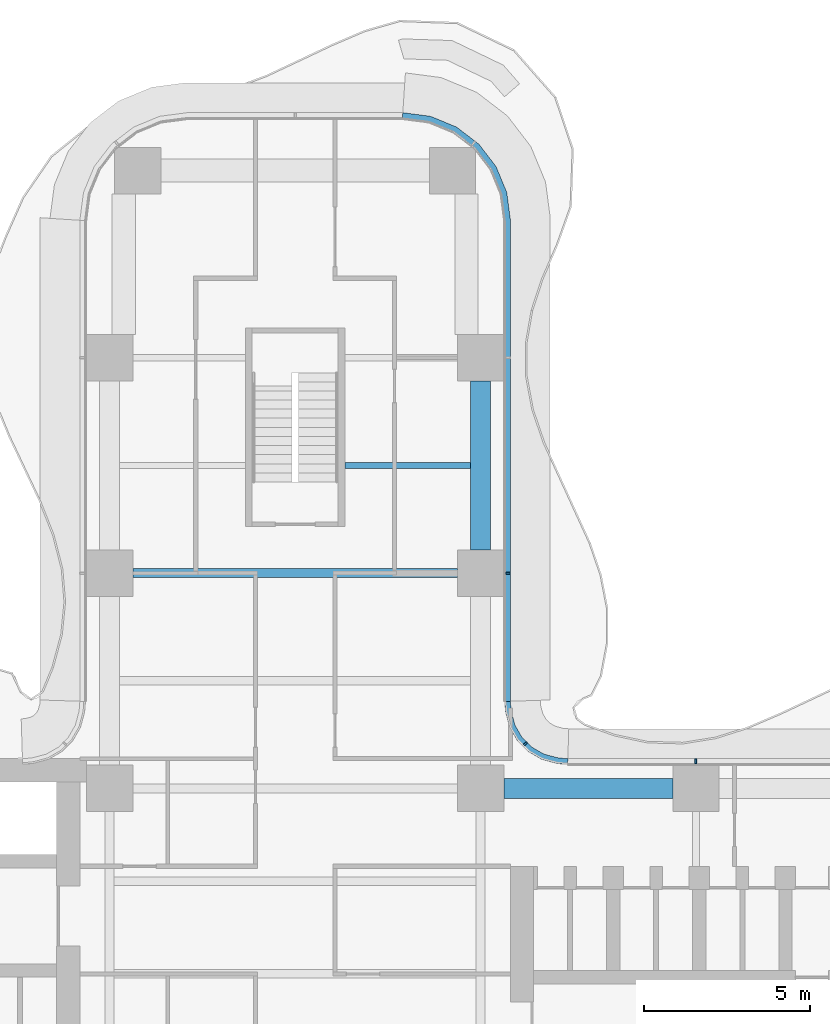
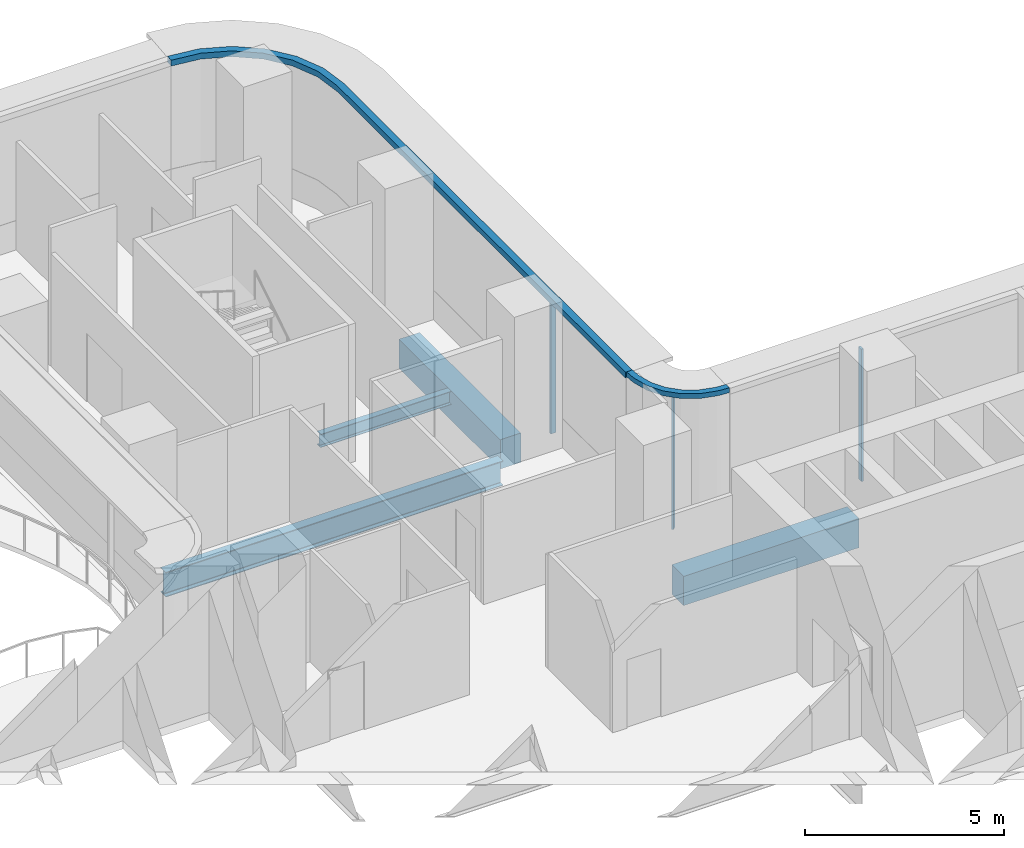
# One storey, part 10 of 23: 5 members, 4 beams, 3 elements without a shape of their own.
"""IFC4 building model written with IfcOpenShell, lengths in metres."""

from ifc_helpers import new_model, si_unit, direction, frame, origin, origin_2d, place, context, subcontext, project, spatial, polyline, rectangle, i_section, outline, extrude, source, transform, mapped, material, layer, layer_set, material_profile, profile_set, type_object, element, aggregate, save


model = new_model("IFC4")

# Units and contexts
model_context = context("Model", 3, precision=1e-05, world=origin(), true_north=direction((0.0, 1.0)))
body_context = subcontext(model_context, "Body", "Model", "MODEL_VIEW")
ifc_project = project(units=[si_unit("LENGTHUNIT", "METRE"), si_unit("AREAUNIT", "SQUARE_METRE"), si_unit("VOLUMEUNIT", "CUBIC_METRE"), si_unit("PLANEANGLEUNIT", "RADIAN"), si_unit("MASSUNIT", "GRAM", prefix="KILO")], contexts=[model_context])

# Site, building, storey
site_placement = place(None, origin())
site = spatial("IfcSite", under=ifc_project, at=site_placement, CompositionType="ELEMENT")
building_placement = place(site_placement, origin())
building = spatial("IfcBuilding", under=site, at=building_placement, Name="Trellis Farm Tower", CompositionType="ELEMENT")
storey_placement = place(building_placement, frame((0.0, 0.0, 74.5)))
storey = spatial("IfcBuildingStorey", under=building, at=storey_placement, Name="L15", CompositionType="ELEMENT", Elevation=74.5)

# Beams
ifc_material_1 = material(Name="Concrete C60/75", Category="concrete")
ifc_material_profile_1 = material_profile(ifc_material_1, rectangle(XDim=0.60009765625, YDim=0.89990234375, at=origin_2d()), Name="RC spandrel beam 600x900 C60/75")
ifc_profile_set_1 = profile_set([ifc_material_profile_1], Name="Concrete C60/75")
beam_type_1 = type_object("IfcBeamType", Name="RC spandrel beam 600x900 C60/75", PredefinedType="SPANDREL", material=ifc_profile_set_1)
shared_shape_1 = source(origin(), body_context, "Body", "SweptSolid", [
    extrude(rectangle(XDim=0.60009765625, YDim=0.89990234375, at=origin_2d()), origin(), (0.0, 0.0, 1.0), 5.099853515625),
])
for number, where, z_axis, x_axis, name in (
    (1, (6.300048828125, 5.60009765625, -0.699951171875), (1.0, 0.0, 0.0), (0.0, 1.0, 0.0), "Girder"),
    (2, (5.60009765625, 12.800048828125, -0.699951171875), (0.0, 1.0, 0.0), (-1.0, 0.0, 0.0), "Girder"),
):
    element("IfcBeam", number, at=place(storey_placement, frame(where, z_axis=z_axis, x_axis=x_axis)), inside=storey, type_object=beam_type_1, Name=name, PredefinedType="SPANDREL", context=body_context, shape_type="MappedRepresentation", body=[
        mapped(shared_shape_1, transform((0.0, 0.0, 0.0))),
    ])
ifc_material_2 = material(Name="Steel S355", Category="steel")
ifc_material_profile_2 = material_profile(ifc_material_2, i_section(OverallWidth=0.2666015625, OverallDepth=0.76220703125, WebThickness=0.014404296875, FlangeThickness=0.021484375, FilletRadius=0.0166015625, at=origin_2d()), Name="UB 762x267x173")
ifc_profile_set_2 = profile_set([ifc_material_profile_2], Name="Steel S355")
beam_type_2 = type_object("IfcBeamType", Name="UB 762x267x173", PredefinedType="BEAM", material=ifc_profile_set_2)
shared_shape_2 = source(origin(), body_context, "Body", "SweptSolid", [
    extrude(i_section(OverallWidth=0.2666015625, OverallDepth=0.76220703125, WebThickness=0.014404296875, FlangeThickness=0.021484375, FilletRadius=0.0166015625, at=origin_2d()), origin(), (0.0, 0.0, 1.0), 9.7998046875),
])
beam_1_placement = place(storey_placement, frame((-4.89990234375, 12.10009765625, -0.631103515625), z_axis=(1.0, 0.0, 0.0), x_axis=(0.0, 1.0, 0.0)))
element("IfcBeam", 3, at=beam_1_placement, inside=storey, type_object=beam_type_2, Name="Girder", PredefinedType="BEAM", context=body_context, shape_type="MappedRepresentation", body=[
    mapped(shared_shape_2, transform((0.0, 0.0, 0.0))),
])
ifc_material_profile_3 = material_profile(ifc_material_2, i_section(OverallWidth=0.177978515625, OverallDepth=0.406494140625, WebThickness=0.0078125, FlangeThickness=0.0126953125, FilletRadius=0.01025390625, at=origin_2d()), Name="UB 406x178x60")
ifc_profile_set_3 = profile_set([ifc_material_profile_3], Name="Steel S355")
beam_type_3 = type_object("IfcBeamType", Name="UB 406x178x60 joist", PredefinedType="JOIST", material=ifc_profile_set_3)
shared_shape_3 = source(origin(), body_context, "Body", "SweptSolid", [
    extrude(i_section(OverallWidth=0.177978515625, OverallDepth=0.406494140625, WebThickness=0.0078125, FlangeThickness=0.0126953125, FilletRadius=0.01025390625, at=origin_2d()), origin(), (0.0, 0.0, 1.0), 3.800048828125),
])
beam_2_placement = place(storey_placement, frame((1.5, 15.35009765625, -0.453125), z_axis=(1.0, 0.0, 0.0), x_axis=(0.0, 1.0, 0.0)))
element("IfcBeam", 4, at=beam_2_placement, inside=storey, type_object=beam_type_3, Name="Floor beam", PredefinedType="JOIST", context=body_context, shape_type="MappedRepresentation", body=[
    mapped(shared_shape_3, transform((0.0, 0.0, 0.0))),
])

# Curtain wall, member
ifc_material_3 = material(Name="Aluminium and glass curtain wall", Category="aluminium")
ifc_layer_1 = layer(ifc_material_3, 0.18994140625)
ifc_layer_set_1 = layer_set([ifc_layer_1], Name="RIBBON CURTAIN WALL CW1")
curtain_wall_type_1 = type_object("IfcCurtainWallType", Name="RIBBON CURTAIN WALL CW1", PredefinedType="NOTDEFINED", material=ifc_layer_set_1)
placement = place(storey_placement, origin())
curtain_wall_1 = element("IfcCurtainWall", 5, at=placement, inside=storey, type_object=curtain_wall_type_1, Name="CW1 008", PredefinedType="NOTDEFINED")
ifc_material_4 = material(Name="Aluminium extrusion 6063-T6", Category="aluminium")
ifc_material_profile_4 = material_profile(ifc_material_4, rectangle(XDim=0.06005859375, YDim=0.14990234375, at=origin_2d()), Name="MULLION 60x150")
ifc_profile_set_4 = profile_set([ifc_material_profile_4], Name="Aluminium extrusion 6063-T6")
member_type_1 = type_object("IfcMemberType", Name="CW1 MULLION 60x150", PredefinedType="MULLION", material=ifc_profile_set_4)
shared_shape_4 = source(origin(), body_context, "Body", "SweptSolid", [
    extrude(rectangle(XDim=0.06005859375, YDim=0.14990234375, at=origin_2d()), origin(), (0.0, 0.0, 1.0), 4.070068359375),
])
member_1_placement = place(storey_placement, frame((12.10009765625, 6.425048828125, 0.0), z_axis=(0.0, 0.0, 1.0), x_axis=(-1.0, 0.0, 0.0)))
member_1 = element("IfcMember", 6, at=member_1_placement, type_object=member_type_1, Name="MU1 008-03", PredefinedType="MULLION", context=body_context, shape_type="MappedRepresentation", body=[
    mapped(shared_shape_4, transform((0.0, 0.0, 0.0))),
])
aggregate(curtain_wall_1, [member_1])

curtain_wall_2 = element("IfcCurtainWall", 7, at=placement, inside=storey, type_object=curtain_wall_type_1, Name="CW1 009", PredefinedType="NOTDEFINED")
member_2_placement = place(storey_placement, frame((6.425048828125, 12.10009765625, 0.0), z_axis=(0.0, 0.0, 1.0), x_axis=(0.0, 1.0, 0.0)))
member_2 = element("IfcMember", 8, at=member_2_placement, type_object=member_type_1, Name="MU1 009-01", PredefinedType="MULLION", context=body_context, shape_type="MappedRepresentation", body=[
    mapped(shared_shape_4, transform((0.0, 0.0, 0.0))),
])

# Curtain wall, members
ifc_layer_2 = layer(ifc_material_3, 0.166015625)
ifc_layer_set_2 = layer_set([ifc_layer_2], Name="WINTER GARDEN CURTAIN WALL CW3")
curtain_wall_type_2 = type_object("IfcCurtainWallType", Name="WINTER GARDEN CURTAIN WALL CW3", PredefinedType="NOTDEFINED", material=ifc_layer_set_2)
curtain_wall_3 = element("IfcCurtainWall", 9, at=placement, inside=storey, type_object=curtain_wall_type_2, Name="CW3 003", PredefinedType="NOTDEFINED")
ifc_material_profile_5 = material_profile(ifc_material_4, rectangle(XDim=0.050048828125, YDim=0.1201171875, at=origin_2d()), Name="MULLION 50x120")
ifc_profile_set_5 = profile_set([ifc_material_profile_5], Name="Aluminium extrusion 6063-T6")
member_type_2 = type_object("IfcMemberType", Name="CW3 MULLION 50x120", PredefinedType="MULLION", material=ifc_profile_set_5)
shared_shape_5 = source(origin(), body_context, "Body", "SweptSolid", [
    extrude(rectangle(XDim=0.050048828125, YDim=0.1201171875, at=origin_2d()), origin(), (0.0, 0.0, 1.0), 4.10009765625),
])
member_3_placement = place(storey_placement, frame((6.953125, 6.953125, 0.0), z_axis=(0.0, 0.0, 1.0), x_axis=(-0.707106781187, 0.707106781187, 0.0)))
member_3 = element("IfcMember", 10, at=member_3_placement, type_object=member_type_2, Name="MU3 003-01", PredefinedType="MULLION", context=body_context, shape_type="MappedRepresentation", body=[
    mapped(shared_shape_5, transform((0.0, 0.0, 0.0))),
])
ifc_layer_3 = layer(ifc_material_4, 0.169921875)
ifc_layer_set_3 = layer_set([ifc_layer_3], Name="Aluminium extrusion 6063-T6")
member_type_3 = type_object("IfcMemberType", Name="CW3 TRANSOM 170x150", PredefinedType="USERDEFINED", material=ifc_layer_set_3)
shared_shape_6 = source(origin(), body_context, "Body", "SweptSolid", [
    extrude(outline(polyline([(8.2314453125, 6.5), (8.01953125, 6.513916015625), (7.91552734375, 6.527587890625), (7.508544921875, 6.63671875), (7.144287109375, 6.846923828125), (6.846923828125, 7.144287109375), (6.63671875, 7.508544921875), (6.527587890625, 7.91552734375), (6.513916015625, 8.01953125), (6.5, 8.2314453125), (6.330078125, 8.225830078125), (6.3447265625, 8.0029296875), (6.360595703125, 7.88232421875), (6.478271484375, 7.44287109375), (6.7109375, 7.0400390625), (7.0400390625, 6.7109375), (7.44287109375, 6.478271484375), (7.88232421875, 6.360595703125), (8.0029296875, 6.3447265625), (8.225830078125, 6.330078125), (8.2314453125, 6.5)])), origin(), (0.0, 0.0, 1.0), 0.14990234375),
])
member_4_placement = place(storey_placement, frame((0.0, 0.0, 4.10009765625)))
member_4 = element("IfcMember", 11, at=member_4_placement, type_object=member_type_3, Name="TR3 003", ObjectType="TRANSOM", PredefinedType="USERDEFINED", context=body_context, shape_type="MappedRepresentation", body=[
    mapped(shared_shape_6, transform((0.0, 0.0, 0.0))),
])
aggregate(curtain_wall_3, [member_3, member_4])

# Member
ifc_layer_4 = layer(ifc_material_4, 0.199951171875)
ifc_layer_set_4 = layer_set([ifc_layer_4], Name="Aluminium extrusion 6063-T6")
member_type_4 = type_object("IfcMemberType", Name="CW1 TRANSOM 200x180", PredefinedType="USERDEFINED", material=ifc_layer_set_4)
shared_shape_7 = source(origin(), body_context, "Body", "SweptSolid", [
    extrude(outline(polyline([(6.5, 8.2314453125), (6.5, 22.75), (6.38916015625, 23.591064453125), (6.064697265625, 24.375), (5.548095703125, 25.048095703125), (4.875, 25.564697265625), (4.091064453125, 25.88916015625), (3.25, 26.0), (3.23681640625, 25.800048828125), (4.0390625, 25.6943359375), (4.774169921875, 25.389892578125), (5.405517578125, 24.905517578125), (5.889892578125, 24.274169921875), (6.1943359375, 23.5390625), (6.300048828125, 22.73681640625), (6.300048828125, 8.224853515625), (6.5, 8.2314453125)])), origin(), (0.0, 0.0, 1.0), 0.179931640625),
])
member_5_placement = place(storey_placement, frame((0.0, 0.0, 4.070068359375)))
member_5 = element("IfcMember", 12, at=member_5_placement, type_object=member_type_4, Name="TR1 009", ObjectType="TRANSOM", PredefinedType="USERDEFINED", context=body_context, shape_type="MappedRepresentation", body=[
    mapped(shared_shape_7, transform((0.0, 0.0, 0.0))),
])

aggregate(curtain_wall_2, [member_2, member_5])

save(model, "model.ifc")
